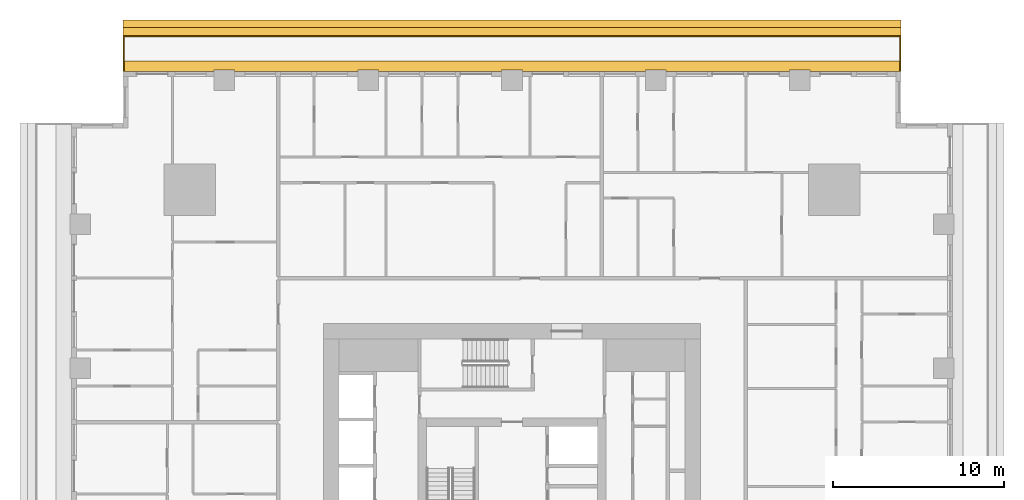
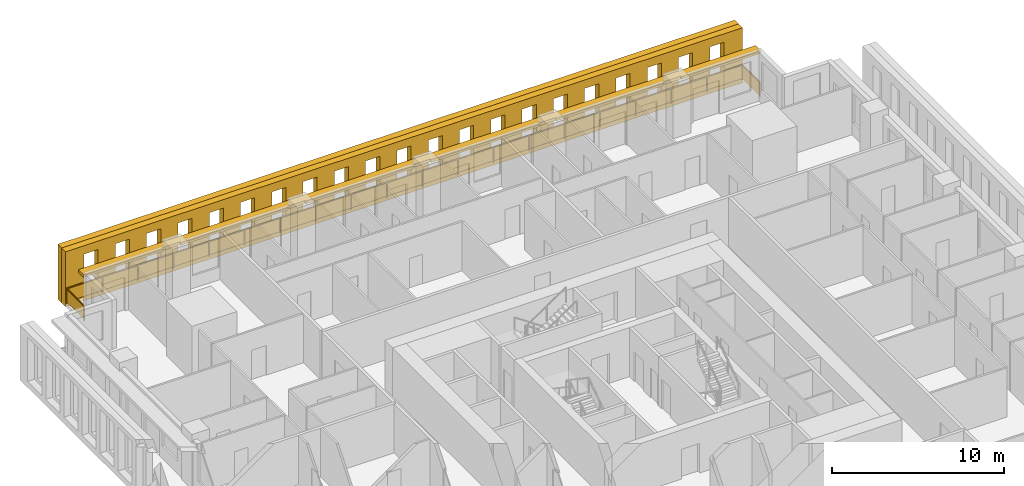
# One storey, part 15 of 15: 3 shading devices, 1 railing.
"""IFC4 building model written with IfcOpenShell, lengths in metres."""

from ifc_helpers import new_model, si_unit, direction, frame, origin, origin_2d, place, context, subcontext, project, spatial, polyline, rectangle, outline, extrude, material, layer, layer_set, type_object, element, save


model = new_model("IFC4")

# Units and contexts
model_context = context("Model", 3, precision=1e-05, world=origin(), true_north=direction((0.0, 1.0)))
body_context = subcontext(model_context, "Body", "Model", "MODEL_VIEW")
ifc_project = project(units=[si_unit("LENGTHUNIT", "METRE"), si_unit("AREAUNIT", "SQUARE_METRE"), si_unit("VOLUMEUNIT", "CUBIC_METRE"), si_unit("PLANEANGLEUNIT", "RADIAN"), si_unit("MASSUNIT", "GRAM", prefix="KILO")], contexts=[model_context])

# Site, building, storey
site_placement = place(None, origin())
site = spatial("IfcSite", under=ifc_project, at=site_placement, CompositionType="ELEMENT")
building_placement = place(site_placement, origin())
building = spatial("IfcBuilding", under=site, at=building_placement, Name="Khepri Terraces", CompositionType="ELEMENT")
storey_placement = place(building_placement, frame((0.0, 0.0, 54.300048828125)))
storey = spatial("IfcBuildingStorey", under=building, at=storey_placement, Name="L12", CompositionType="ELEMENT", Elevation=54.300048828125)

# Railing
ifc_material_1 = material(Name="Stainless steel grade 316", Category="steel")
railing_type = type_object("IfcRailingType", Name="GRD-BAL-1100", PredefinedType="GUARDRAIL", material=ifc_material_1)
railing_placement = place(storey_placement, frame((22.669921875, 25.719970703125, 0.0)))
element("IfcRailing", 1, at=railing_placement, inside=storey, type_object=railing_type, Name="Balcony guard L12 N", PredefinedType="GUARDRAIL", context=body_context, shape_type="SweptSolid", body=[
    extrude(rectangle(XDim=0.050048828125, YDim=0.06005859375, at=origin_2d()), frame((0.0, 0.0, 1.070068359375), z_axis=(0.0, 1.0, 0.0), x_axis=(-1.0, 0.0, 0.0)), (0.0, 0.0, 1.0), 2.050048828125),
    extrude(rectangle(XDim=2.0, YDim=0.011962890625, at=origin_2d()), frame((0.0, 1.02490234375, 0.10009765625), z_axis=(0.0, 0.0, 1.0), x_axis=(0.0, 1.0, 0.0)), (0.0, 0.0, 1.0), 0.93994140625),
    extrude(rectangle(XDim=0.050048828125, YDim=0.06005859375, at=origin_2d()), frame((0.0, 2.050048828125, 1.070068359375), z_axis=(-1.0, 0.0, 0.0), x_axis=(0.0, -1.0, 0.0)), (0.0, 0.0, 1.0), 45.33984375),
    extrude(rectangle(XDim=2.336181640625, YDim=0.011962890625, at=origin_2d()), frame((-1.193115234375, 2.050048828125, 0.10009765625), z_axis=(0.0, 0.0, 1.0), x_axis=(-1.0, 0.0, 0.0)), (0.0, 0.0, 1.0), 0.93994140625),
    extrude(rectangle(XDim=2.336181640625, YDim=0.011962890625, at=origin_2d()), frame((-3.579345703125, 2.050048828125, 0.10009765625), z_axis=(0.0, 0.0, 1.0), x_axis=(-1.0, 0.0, 0.0)), (0.0, 0.0, 1.0), 0.93994140625),
    extrude(rectangle(XDim=2.336181640625, YDim=0.011962890625, at=origin_2d()), frame((-5.9658203125, 2.050048828125, 0.10009765625), z_axis=(0.0, 0.0, 1.0), x_axis=(-1.0, 0.0, 0.0)), (0.0, 0.0, 1.0), 0.93994140625),
    extrude(rectangle(XDim=2.336181640625, YDim=0.011962890625, at=origin_2d()), frame((-8.35205078125, 2.050048828125, 0.10009765625), z_axis=(0.0, 0.0, 1.0), x_axis=(-1.0, 0.0, 0.0)), (0.0, 0.0, 1.0), 0.93994140625),
    extrude(rectangle(XDim=2.336181640625, YDim=0.011962890625, at=origin_2d()), frame((-10.73828125, 2.050048828125, 0.10009765625), z_axis=(0.0, 0.0, 1.0), x_axis=(-1.0, 0.0, 0.0)), (0.0, 0.0, 1.0), 0.93994140625),
    extrude(rectangle(XDim=2.336181640625, YDim=0.011962890625, at=origin_2d()), frame((-13.124755859375, 2.050048828125, 0.10009765625), z_axis=(0.0, 0.0, 1.0), x_axis=(-1.0, 0.0, 0.0)), (0.0, 0.0, 1.0), 0.93994140625),
    extrude(rectangle(XDim=2.336181640625, YDim=0.011962890625, at=origin_2d()), frame((-15.510986328125, 2.050048828125, 0.10009765625), z_axis=(0.0, 0.0, 1.0), x_axis=(-1.0, 0.0, 0.0)), (0.0, 0.0, 1.0), 0.93994140625),
    extrude(rectangle(XDim=2.336181640625, YDim=0.011962890625, at=origin_2d()), frame((-17.897216796875, 2.050048828125, 0.10009765625), z_axis=(0.0, 0.0, 1.0), x_axis=(-1.0, 0.0, 0.0)), (0.0, 0.0, 1.0), 0.93994140625),
    extrude(rectangle(XDim=2.336181640625, YDim=0.011962890625, at=origin_2d()), frame((-20.28369140625, 2.050048828125, 0.10009765625), z_axis=(0.0, 0.0, 1.0), x_axis=(-1.0, 0.0, 0.0)), (0.0, 0.0, 1.0), 0.93994140625),
    extrude(rectangle(XDim=2.336181640625, YDim=0.011962890625, at=origin_2d()), frame((-22.669921875, 2.050048828125, 0.10009765625), z_axis=(0.0, 0.0, 1.0), x_axis=(-1.0, 0.0, 0.0)), (0.0, 0.0, 1.0), 0.93994140625),
    extrude(rectangle(XDim=2.336181640625, YDim=0.011962890625, at=origin_2d()), frame((-25.05615234375, 2.050048828125, 0.10009765625), z_axis=(0.0, 0.0, 1.0), x_axis=(-1.0, 0.0, 0.0)), (0.0, 0.0, 1.0), 0.93994140625),
    extrude(rectangle(XDim=2.336181640625, YDim=0.011962890625, at=origin_2d()), frame((-27.442626953125, 2.050048828125, 0.10009765625), z_axis=(0.0, 0.0, 1.0), x_axis=(-1.0, 0.0, 0.0)), (0.0, 0.0, 1.0), 0.93994140625),
    extrude(rectangle(XDim=2.336181640625, YDim=0.011962890625, at=origin_2d()), frame((-29.828857421875, 2.050048828125, 0.10009765625), z_axis=(0.0, 0.0, 1.0), x_axis=(-1.0, 0.0, 0.0)), (0.0, 0.0, 1.0), 0.93994140625),
    extrude(rectangle(XDim=2.336181640625, YDim=0.011962890625, at=origin_2d()), frame((-32.215087890625, 2.050048828125, 0.10009765625), z_axis=(0.0, 0.0, 1.0), x_axis=(-1.0, 0.0, 0.0)), (0.0, 0.0, 1.0), 0.93994140625),
    extrude(rectangle(XDim=2.336181640625, YDim=0.011962890625, at=origin_2d()), frame((-34.6015625, 2.050048828125, 0.10009765625), z_axis=(0.0, 0.0, 1.0), x_axis=(-1.0, 0.0, 0.0)), (0.0, 0.0, 1.0), 0.93994140625),
    extrude(rectangle(XDim=2.336181640625, YDim=0.011962890625, at=origin_2d()), frame((-36.98779296875, 2.050048828125, 0.10009765625), z_axis=(0.0, 0.0, 1.0), x_axis=(-1.0, 0.0, 0.0)), (0.0, 0.0, 1.0), 0.93994140625),
    extrude(rectangle(XDim=2.336181640625, YDim=0.011962890625, at=origin_2d()), frame((-39.3740234375, 2.050048828125, 0.10009765625), z_axis=(0.0, 0.0, 1.0), x_axis=(-1.0, 0.0, 0.0)), (0.0, 0.0, 1.0), 0.93994140625),
    extrude(rectangle(XDim=2.336181640625, YDim=0.011962890625, at=origin_2d()), frame((-41.760498046875, 2.050048828125, 0.10009765625), z_axis=(0.0, 0.0, 1.0), x_axis=(-1.0, 0.0, 0.0)), (0.0, 0.0, 1.0), 0.93994140625),
    extrude(rectangle(XDim=2.336181640625, YDim=0.011962890625, at=origin_2d()), frame((-44.146728515625, 2.050048828125, 0.10009765625), z_axis=(0.0, 0.0, 1.0), x_axis=(-1.0, 0.0, 0.0)), (0.0, 0.0, 1.0), 0.93994140625),
    extrude(rectangle(XDim=0.050048828125, YDim=0.06005859375, at=origin_2d()), frame((-45.33984375, 2.050048828125, 1.070068359375), z_axis=(0.0, -1.0, 0.0), x_axis=(1.0, 0.0, 0.0)), (0.0, 0.0, 1.0), 2.050048828125),
    extrude(rectangle(XDim=2.0, YDim=0.011962890625, at=origin_2d()), frame((-45.33984375, 1.02490234375, 0.10009765625), z_axis=(0.0, 0.0, 1.0), x_axis=(0.0, -1.0, 0.0)), (0.0, 0.0, 1.0), 0.93994140625),
    extrude(rectangle(XDim=0.050048828125, YDim=0.050048828125, at=origin_2d()), origin(), (0.0, 0.0, 1.0), 1.0400390625),
    extrude(rectangle(XDim=0.050048828125, YDim=0.050048828125, at=origin_2d()), frame((0.0, 2.050048828125, 0.0)), (0.0, 0.0, 1.0), 1.0400390625),
    extrude(rectangle(XDim=0.050048828125, YDim=0.050048828125, at=origin_2d()), frame((-2.38623046875, 2.050048828125, 0.0)), (0.0, 0.0, 1.0), 1.0400390625),
    extrude(rectangle(XDim=0.050048828125, YDim=0.050048828125, at=origin_2d()), frame((-4.772705078125, 2.050048828125, 0.0)), (0.0, 0.0, 1.0), 1.0400390625),
    extrude(rectangle(XDim=0.050048828125, YDim=0.050048828125, at=origin_2d()), frame((-7.158935546875, 2.050048828125, 0.0)), (0.0, 0.0, 1.0), 1.0400390625),
    extrude(rectangle(XDim=0.050048828125, YDim=0.050048828125, at=origin_2d()), frame((-9.545166015625, 2.050048828125, 0.0)), (0.0, 0.0, 1.0), 1.0400390625),
    extrude(rectangle(XDim=0.050048828125, YDim=0.050048828125, at=origin_2d()), frame((-11.931640625, 2.050048828125, 0.0)), (0.0, 0.0, 1.0), 1.0400390625),
    extrude(rectangle(XDim=0.050048828125, YDim=0.050048828125, at=origin_2d()), frame((-14.31787109375, 2.050048828125, 0.0)), (0.0, 0.0, 1.0), 1.0400390625),
    extrude(rectangle(XDim=0.050048828125, YDim=0.050048828125, at=origin_2d()), frame((-16.7041015625, 2.050048828125, 0.0)), (0.0, 0.0, 1.0), 1.0400390625),
    extrude(rectangle(XDim=0.050048828125, YDim=0.050048828125, at=origin_2d()), frame((-19.090576171875, 2.050048828125, 0.0)), (0.0, 0.0, 1.0), 1.0400390625),
    extrude(rectangle(XDim=0.050048828125, YDim=0.050048828125, at=origin_2d()), frame((-21.476806640625, 2.050048828125, 0.0)), (0.0, 0.0, 1.0), 1.0400390625),
    extrude(rectangle(XDim=0.050048828125, YDim=0.050048828125, at=origin_2d()), frame((-23.863037109375, 2.050048828125, 0.0)), (0.0, 0.0, 1.0), 1.0400390625),
    extrude(rectangle(XDim=0.050048828125, YDim=0.050048828125, at=origin_2d()), frame((-26.249267578125, 2.050048828125, 0.0)), (0.0, 0.0, 1.0), 1.0400390625),
    extrude(rectangle(XDim=0.050048828125, YDim=0.050048828125, at=origin_2d()), frame((-28.6357421875, 2.050048828125, 0.0)), (0.0, 0.0, 1.0), 1.0400390625),
    extrude(rectangle(XDim=0.050048828125, YDim=0.050048828125, at=origin_2d()), frame((-31.02197265625, 2.050048828125, 0.0)), (0.0, 0.0, 1.0), 1.0400390625),
    extrude(rectangle(XDim=0.050048828125, YDim=0.050048828125, at=origin_2d()), frame((-33.408203125, 2.050048828125, 0.0)), (0.0, 0.0, 1.0), 1.0400390625),
    extrude(rectangle(XDim=0.050048828125, YDim=0.050048828125, at=origin_2d()), frame((-35.794677734375, 2.050048828125, 0.0)), (0.0, 0.0, 1.0), 1.0400390625),
    extrude(rectangle(XDim=0.050048828125, YDim=0.050048828125, at=origin_2d()), frame((-38.180908203125, 2.050048828125, 0.0)), (0.0, 0.0, 1.0), 1.0400390625),
    extrude(rectangle(XDim=0.050048828125, YDim=0.050048828125, at=origin_2d()), frame((-40.567138671875, 2.050048828125, 0.0)), (0.0, 0.0, 1.0), 1.0400390625),
    extrude(rectangle(XDim=0.050048828125, YDim=0.050048828125, at=origin_2d()), frame((-42.95361328125, 2.050048828125, 0.0)), (0.0, 0.0, 1.0), 1.0400390625),
    extrude(rectangle(XDim=0.050048828125, YDim=0.050048828125, at=origin_2d()), frame((-45.33984375, 2.050048828125, 0.0)), (0.0, 0.0, 1.0), 1.0400390625),
    extrude(rectangle(XDim=0.050048828125, YDim=0.050048828125, at=origin_2d()), frame((-45.33984375, 0.0, 0.0)), (0.0, 0.0, 1.0), 1.0400390625),
])

# Shading devices
ifc_material_2 = material(Name="Precast concrete C50/60 warm stone", Category="masonry")
shading_device_type_1 = type_object("IfcShadingDeviceType", Name="SCR-CELL-INNER-450", PredefinedType="USERDEFINED", material=ifc_material_2)
shading_device_1_placement = place(storey_placement, frame((22.719970703125, 27.820068359375, -0.25), z_axis=(0.0, 1.0, 0.0), x_axis=(-1.0, 0.0, 0.0)))
element("IfcShadingDevice", 2, at=shading_device_1_placement, inside=storey, type_object=shading_device_type_1, Name="Cell screen L12 N in", ObjectType="SCREEN", PredefinedType="USERDEFINED", context=body_context, shape_type="SweptSolid", body=[
    extrude(outline(polyline([(0.0, 0.0), (45.43994140625, 0.0), (45.43994140625, 3.89990234375), (0.0, 3.89990234375), (0.0, 0.0)]), holes=[polyline([(1.24755859375, 0.699951171875), (2.1923828125, 0.699951171875), (2.1923828125, 3.300048828125), (1.24755859375, 3.300048828125), (1.24755859375, 0.699951171875)]), polyline([(3.347412109375, 0.699951171875), (4.29248046875, 0.699951171875), (4.29248046875, 3.300048828125), (3.347412109375, 3.300048828125), (3.347412109375, 0.699951171875)]), polyline([(5.447509765625, 0.699951171875), (6.392578125, 0.699951171875), (6.392578125, 3.300048828125), (5.447509765625, 3.300048828125), (5.447509765625, 0.699951171875)]), polyline([(7.547607421875, 0.699951171875), (8.492431640625, 0.699951171875), (8.492431640625, 3.300048828125), (7.547607421875, 3.300048828125), (7.547607421875, 0.699951171875)]), polyline([(9.6474609375, 0.699951171875), (10.592529296875, 0.699951171875), (10.592529296875, 3.300048828125), (9.6474609375, 3.300048828125), (9.6474609375, 0.699951171875)]), polyline([(11.74755859375, 0.699951171875), (12.6923828125, 0.699951171875), (12.6923828125, 3.300048828125), (11.74755859375, 3.300048828125), (11.74755859375, 0.699951171875)]), polyline([(13.847412109375, 0.699951171875), (14.79248046875, 0.699951171875), (14.79248046875, 3.300048828125), (13.847412109375, 3.300048828125), (13.847412109375, 0.699951171875)]), polyline([(15.947509765625, 0.699951171875), (16.892578125, 0.699951171875), (16.892578125, 3.300048828125), (15.947509765625, 3.300048828125), (15.947509765625, 0.699951171875)]), polyline([(18.047607421875, 0.699951171875), (18.992431640625, 0.699951171875), (18.992431640625, 3.300048828125), (18.047607421875, 3.300048828125), (18.047607421875, 0.699951171875)]), polyline([(20.1474609375, 0.699951171875), (21.092529296875, 0.699951171875), (21.092529296875, 3.300048828125), (20.1474609375, 3.300048828125), (20.1474609375, 0.699951171875)]), polyline([(22.24755859375, 0.699951171875), (23.1923828125, 0.699951171875), (23.1923828125, 3.300048828125), (22.24755859375, 3.300048828125), (22.24755859375, 0.699951171875)]), polyline([(24.347412109375, 0.699951171875), (25.29248046875, 0.699951171875), (25.29248046875, 3.300048828125), (24.347412109375, 3.300048828125), (24.347412109375, 0.699951171875)]), polyline([(26.447509765625, 0.699951171875), (27.392578125, 0.699951171875), (27.392578125, 3.300048828125), (26.447509765625, 3.300048828125), (26.447509765625, 0.699951171875)]), polyline([(28.547607421875, 0.699951171875), (29.492431640625, 0.699951171875), (29.492431640625, 3.300048828125), (28.547607421875, 3.300048828125), (28.547607421875, 0.699951171875)]), polyline([(30.6474609375, 0.699951171875), (31.592529296875, 0.699951171875), (31.592529296875, 3.300048828125), (30.6474609375, 3.300048828125), (30.6474609375, 0.699951171875)]), polyline([(32.74755859375, 0.699951171875), (33.6923828125, 0.699951171875), (33.6923828125, 3.300048828125), (32.74755859375, 3.300048828125), (32.74755859375, 0.699951171875)]), polyline([(34.847412109375, 0.699951171875), (35.79248046875, 0.699951171875), (35.79248046875, 3.300048828125), (34.847412109375, 3.300048828125), (34.847412109375, 0.699951171875)]), polyline([(36.947509765625, 0.699951171875), (37.892578125, 0.699951171875), (37.892578125, 3.300048828125), (36.947509765625, 3.300048828125), (36.947509765625, 0.699951171875)]), polyline([(39.047607421875, 0.699951171875), (39.992431640625, 0.699951171875), (39.992431640625, 3.300048828125), (39.047607421875, 3.300048828125), (39.047607421875, 0.699951171875)]), polyline([(41.1474609375, 0.699951171875), (42.092529296875, 0.699951171875), (42.092529296875, 3.300048828125), (41.1474609375, 3.300048828125), (41.1474609375, 0.699951171875)]), polyline([(43.24755859375, 0.699951171875), (44.1923828125, 0.699951171875), (44.1923828125, 3.300048828125), (43.24755859375, 3.300048828125), (43.24755859375, 0.699951171875)])]), origin(), (0.0, 0.0, 1.0), 0.449951171875),
])
shading_device_type_2 = type_object("IfcShadingDeviceType", Name="SCR-CELL-OUTER-450", PredefinedType="USERDEFINED", material=ifc_material_2)
shading_device_2_placement = place(storey_placement, frame((22.719970703125, 28.27001953125, -0.25), z_axis=(0.0, 1.0, 0.0), x_axis=(-1.0, 0.0, 0.0)))
element("IfcShadingDevice", 3, at=shading_device_2_placement, inside=storey, type_object=shading_device_type_2, Name="Cell screen L12 N out", ObjectType="SCREEN", PredefinedType="USERDEFINED", context=body_context, shape_type="SweptSolid", body=[
    extrude(outline(polyline([(0.0, 0.0), (45.43994140625, 0.0), (45.43994140625, 3.89990234375), (0.0, 3.89990234375), (0.0, 0.0)]), holes=[polyline([(0.8974609375, 0.449951171875), (2.54248046875, 0.449951171875), (2.54248046875, 3.550048828125), (0.8974609375, 3.550048828125), (0.8974609375, 0.449951171875)]), polyline([(2.99755859375, 0.449951171875), (4.642578125, 0.449951171875), (4.642578125, 3.550048828125), (2.99755859375, 3.550048828125), (2.99755859375, 0.449951171875)]), polyline([(5.097412109375, 0.449951171875), (6.742431640625, 0.449951171875), (6.742431640625, 3.550048828125), (5.097412109375, 3.550048828125), (5.097412109375, 0.449951171875)]), polyline([(7.197509765625, 0.449951171875), (8.842529296875, 0.449951171875), (8.842529296875, 3.550048828125), (7.197509765625, 3.550048828125), (7.197509765625, 0.449951171875)]), polyline([(9.297607421875, 0.449951171875), (10.9423828125, 0.449951171875), (10.9423828125, 3.550048828125), (9.297607421875, 3.550048828125), (9.297607421875, 0.449951171875)]), polyline([(11.3974609375, 0.449951171875), (13.04248046875, 0.449951171875), (13.04248046875, 3.550048828125), (11.3974609375, 3.550048828125), (11.3974609375, 0.449951171875)]), polyline([(13.49755859375, 0.449951171875), (15.142578125, 0.449951171875), (15.142578125, 3.550048828125), (13.49755859375, 3.550048828125), (13.49755859375, 0.449951171875)]), polyline([(15.597412109375, 0.449951171875), (17.242431640625, 0.449951171875), (17.242431640625, 3.550048828125), (15.597412109375, 3.550048828125), (15.597412109375, 0.449951171875)]), polyline([(17.697509765625, 0.449951171875), (19.342529296875, 0.449951171875), (19.342529296875, 3.550048828125), (17.697509765625, 3.550048828125), (17.697509765625, 0.449951171875)]), polyline([(19.797607421875, 0.449951171875), (21.4423828125, 0.449951171875), (21.4423828125, 3.550048828125), (19.797607421875, 3.550048828125), (19.797607421875, 0.449951171875)]), polyline([(21.8974609375, 0.449951171875), (23.54248046875, 0.449951171875), (23.54248046875, 3.550048828125), (21.8974609375, 3.550048828125), (21.8974609375, 0.449951171875)]), polyline([(23.99755859375, 0.449951171875), (25.642578125, 0.449951171875), (25.642578125, 3.550048828125), (23.99755859375, 3.550048828125), (23.99755859375, 0.449951171875)]), polyline([(26.097412109375, 0.449951171875), (27.742431640625, 0.449951171875), (27.742431640625, 3.550048828125), (26.097412109375, 3.550048828125), (26.097412109375, 0.449951171875)]), polyline([(28.197509765625, 0.449951171875), (29.842529296875, 0.449951171875), (29.842529296875, 3.550048828125), (28.197509765625, 3.550048828125), (28.197509765625, 0.449951171875)]), polyline([(30.297607421875, 0.449951171875), (31.9423828125, 0.449951171875), (31.9423828125, 3.550048828125), (30.297607421875, 3.550048828125), (30.297607421875, 0.449951171875)]), polyline([(32.3974609375, 0.449951171875), (34.04248046875, 0.449951171875), (34.04248046875, 3.550048828125), (32.3974609375, 3.550048828125), (32.3974609375, 0.449951171875)]), polyline([(34.49755859375, 0.449951171875), (36.142578125, 0.449951171875), (36.142578125, 3.550048828125), (34.49755859375, 3.550048828125), (34.49755859375, 0.449951171875)]), polyline([(36.597412109375, 0.449951171875), (38.242431640625, 0.449951171875), (38.242431640625, 3.550048828125), (36.597412109375, 3.550048828125), (36.597412109375, 0.449951171875)]), polyline([(38.697509765625, 0.449951171875), (40.342529296875, 0.449951171875), (40.342529296875, 3.550048828125), (38.697509765625, 3.550048828125), (38.697509765625, 0.449951171875)]), polyline([(40.797607421875, 0.449951171875), (42.4423828125, 0.449951171875), (42.4423828125, 3.550048828125), (40.797607421875, 3.550048828125), (40.797607421875, 0.449951171875)]), polyline([(42.8974609375, 0.449951171875), (44.54248046875, 0.449951171875), (44.54248046875, 3.550048828125), (42.8974609375, 3.550048828125), (42.8974609375, 0.449951171875)])]), origin(), (0.0, 0.0, 1.0), 0.449951171875),
])
ifc_layer = layer(ifc_material_2, 0.199951171875, Name="Precast concrete C50/60 warm stone", Category="masonry")
ifc_layer_set = layer_set([ifc_layer], Name="Precast concrete C50/60 warm stone")
shading_device_type_3 = type_object("IfcShadingDeviceType", Name="SSH-BAND-STONE-200-N", PredefinedType="USERDEFINED", material=ifc_layer_set)
shading_device_3_placement = place(storey_placement, frame((0.0, 0.0, 3.099853515625)))
element("IfcShadingDevice", 4, at=shading_device_3_placement, inside=storey, type_object=shading_device_type_3, Name="Sunshade band L12 N", ObjectType="SUNSHADE", PredefinedType="USERDEFINED", context=body_context, shape_type="SweptSolid", body=[
    extrude(outline(polyline([(17.39990234375, 25.719970703125), (22.719970703125, 25.719970703125), (22.719970703125, 26.320068359375), (-22.719970703125, 26.320068359375), (-22.719970703125, 25.719970703125), (-17.39990234375, 25.719970703125), (-17.39990234375, 25.800048828125), (-16.199951171875, 25.800048828125), (-16.199951171875, 25.719970703125), (-9.0, 25.719970703125), (-9.0, 25.800048828125), (-7.800048828125, 25.800048828125), (-7.800048828125, 25.719970703125), (-0.60009765625, 25.719970703125), (-0.60009765625, 25.800048828125), (0.60009765625, 25.800048828125), (0.60009765625, 25.719970703125), (7.800048828125, 25.719970703125), (7.800048828125, 25.800048828125), (9.0, 25.800048828125), (9.0, 25.719970703125), (16.199951171875, 25.719970703125), (16.199951171875, 25.800048828125), (17.39990234375, 25.800048828125), (17.39990234375, 25.719970703125)])), origin(), (0.0, 0.0, 1.0), 0.2001953125),
])

save(model, "model.ifc")
